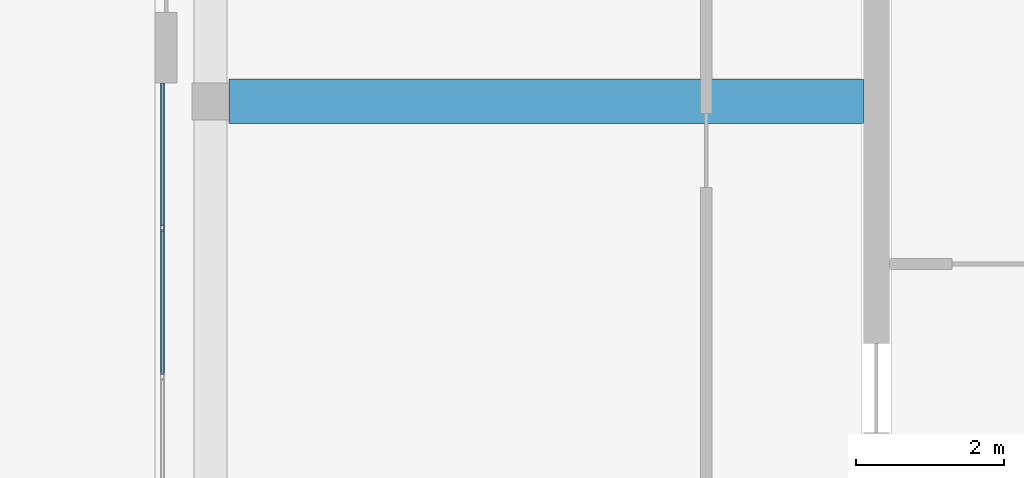
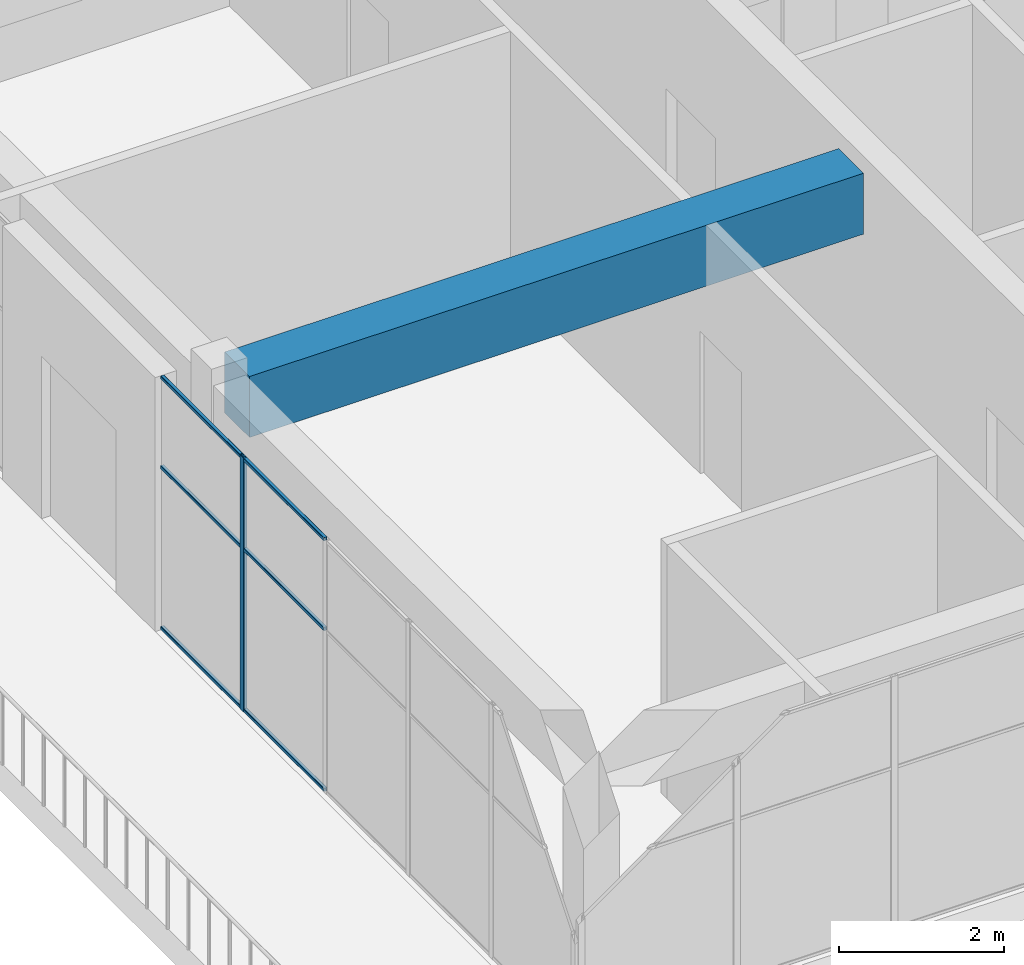
# One storey, part 10 of 34: 7 members, 1 beam, 1 element without a shape of its own.
"""IFC4 building model written with IfcOpenShell, lengths in metres."""

from ifc_helpers import new_model, si_unit, direction, frame, origin, origin_2d, place, context, subcontext, project, spatial, rectangle, hollow_rectangle, extrude, material, layer, layer_set, material_profile, profile_set, type_object, element, aggregate, save


model = new_model("IFC4")

# Units and contexts
model_context = context("Model", 3, precision=1e-05, world=origin(), true_north=direction((0.0, 1.0)))
body_context = subcontext(model_context, "Body", "Model", "MODEL_VIEW")
ifc_project = project(units=[si_unit("LENGTHUNIT", "METRE"), si_unit("AREAUNIT", "SQUARE_METRE"), si_unit("VOLUMEUNIT", "CUBIC_METRE"), si_unit("PLANEANGLEUNIT", "RADIAN"), si_unit("MASSUNIT", "GRAM", prefix="KILO")], contexts=[model_context])

# Site, building, storey
site_placement = place(None, origin())
site = spatial("IfcSite", under=ifc_project, at=site_placement, CompositionType="ELEMENT")
building_placement = place(site_placement, origin())
building = spatial("IfcBuilding", under=site, at=building_placement, Name="Tuart Plaza Theatre", CompositionType="ELEMENT")
storey_placement = place(building_placement, frame((0.0, 0.0, 53.5)))
storey = spatial("IfcBuildingStorey", under=building, at=storey_placement, Name="L13", CompositionType="ELEMENT", Elevation=53.5)

# Beam
ifc_material_1 = material(Name="Concrete N40 (40 MPa)", Category="concrete")
ifc_material_profile_1 = material_profile(ifc_material_1, rectangle(XDim=0.60009765625, YDim=0.89990234375, at=origin_2d()), Name="BEAM 600x900 Concrete N40 (40 MPa)")
ifc_profile_set_1 = profile_set([ifc_material_profile_1], Name="Concrete N40 (40 MPa)")
beam_type = type_object("IfcBeamType", Name="BEAM 600x900 Concrete N40 (40 MPa)", PredefinedType="BEAM", material=ifc_profile_set_1)
beam_placement = place(storey_placement, frame((114.25, 74.0, 3.300048828125), z_axis=(1.0, 0.0, 0.0), x_axis=(0.0, 1.0, 0.0)))
element("IfcBeam", 1, at=beam_placement, inside=storey, type_object=beam_type, Name="RB321", PredefinedType="BEAM", context=body_context, shape_type="SweptSolid", body=[
    extrude(rectangle(XDim=0.60009765625, YDim=0.89990234375, at=origin_2d()), origin(), (0.0, 0.0, 1.0), 8.574951171875),
])

# Curtain wall, members
ifc_material_2 = material(Name="Aluminium and glass", Category="aluminium")
ifc_layer = layer(ifc_material_2, 0.10009765625)
ifc_layer_set = layer_set([ifc_layer], Name="CURTAIN WALL 2000 module")
curtain_wall_type = type_object("IfcCurtainWallType", Name="CURTAIN WALL 2000 module", PredefinedType="NOTDEFINED", material=ifc_layer_set)
curtain_wall_placement = place(storey_placement, origin())
curtain_wall = element("IfcCurtainWall", 2, at=curtain_wall_placement, inside=storey, type_object=curtain_wall_type, Name="CW119", PredefinedType="NOTDEFINED")
ifc_material_3 = material(Name="Aluminium 6063-T5", Category="aluminium")
ifc_material_profile_2 = material_profile(ifc_material_3, hollow_rectangle(XDim=0.050048828125, YDim=0.10009765625, WallThickness=0.00390625, InnerFilletRadius=0.00390625, OuterFilletRadius=0.008056640625, at=origin_2d()), Name="RHS 100x50x4")
ifc_profile_set_2 = profile_set([ifc_material_profile_2], Name="Aluminium 6063-T5")
member_type_1 = type_object("IfcMemberType", Name="MULLION RHS 100x50x4", PredefinedType="MULLION", material=ifc_profile_set_2)
member_1_placement = place(storey_placement, frame((113.35009765625, 72.2900390625, 0.0), z_axis=(0.0, 0.0, 1.0), x_axis=(1.0, 0.0, 0.0)))
member_1 = element("IfcMember", 3, at=member_1_placement, type_object=member_type_1, Name="CW119 mullion 2", PredefinedType="MULLION", context=body_context, shape_type="SweptSolid", body=[
    extrude(hollow_rectangle(XDim=0.050048828125, YDim=0.10009765625, WallThickness=0.00390625, InnerFilletRadius=0.00390625, OuterFilletRadius=0.008056640625, at=origin_2d()), origin(), (0.0, 0.0, 1.0), 3.75),
])
ifc_material_4 = material(Name="Aluminium 6063-T5", Category="aluminium")
ifc_material_profile_3 = material_profile(ifc_material_4, hollow_rectangle(XDim=0.050048828125, YDim=0.050048828125, WallThickness=0.00390625, InnerFilletRadius=0.00390625, OuterFilletRadius=0.008056640625, at=origin_2d()), Name="RHS 50x50x4")
ifc_profile_set_3 = profile_set([ifc_material_profile_3], Name="Aluminium 6063-T5")
member_type_2 = type_object("IfcMemberType", Name="TRANSOM RHS 50x50x4", PredefinedType="USERDEFINED", material=ifc_profile_set_3)
member_2_placement = place(storey_placement, frame((113.35009765625, 74.25, 0.02490234375), z_axis=(0.0, -1.0, 0.0), x_axis=(1.0, 0.0, 0.0)))
member_2 = element("IfcMember", 4, at=member_2_placement, type_object=member_type_2, Name="CW119 transom 1.1", ObjectType="TRANSOM", PredefinedType="USERDEFINED", context=body_context, shape_type="SweptSolid", body=[
    extrude(hollow_rectangle(XDim=0.050048828125, YDim=0.050048828125, WallThickness=0.00390625, InnerFilletRadius=0.00390625, OuterFilletRadius=0.008056640625, at=origin_2d()), origin(), (0.0, 0.0, 1.0), 1.93505859375),
])
member_3_placement = place(storey_placement, frame((113.35009765625, 74.25, 2.39990234375), z_axis=(0.0, -1.0, 0.0), x_axis=(1.0, 0.0, 0.0)))
member_3 = element("IfcMember", 5, at=member_3_placement, type_object=member_type_2, Name="CW119 transom 1.2", ObjectType="TRANSOM", PredefinedType="USERDEFINED", context=body_context, shape_type="SweptSolid", body=[
    extrude(hollow_rectangle(XDim=0.050048828125, YDim=0.050048828125, WallThickness=0.00390625, InnerFilletRadius=0.00390625, OuterFilletRadius=0.008056640625, at=origin_2d()), origin(), (0.0, 0.0, 1.0), 1.93505859375),
])
member_4_placement = place(storey_placement, frame((113.35009765625, 74.25, 3.72509765625), z_axis=(0.0, -1.0, 0.0), x_axis=(1.0, 0.0, 0.0)))
member_4 = element("IfcMember", 6, at=member_4_placement, type_object=member_type_2, Name="CW119 transom 1.3", ObjectType="TRANSOM", PredefinedType="USERDEFINED", context=body_context, shape_type="SweptSolid", body=[
    extrude(hollow_rectangle(XDim=0.050048828125, YDim=0.050048828125, WallThickness=0.00390625, InnerFilletRadius=0.00390625, OuterFilletRadius=0.008056640625, at=origin_2d()), origin(), (0.0, 0.0, 1.0), 1.93505859375),
])
member_5_placement = place(storey_placement, frame((113.35009765625, 72.264892578125, 0.02490234375), z_axis=(0.0, -1.0, 0.0), x_axis=(1.0, 0.0, 0.0)))
member_5 = element("IfcMember", 7, at=member_5_placement, type_object=member_type_2, Name="CW119 transom 2.1", ObjectType="TRANSOM", PredefinedType="USERDEFINED", context=body_context, shape_type="SweptSolid", body=[
    extrude(hollow_rectangle(XDim=0.050048828125, YDim=0.050048828125, WallThickness=0.00390625, InnerFilletRadius=0.00390625, OuterFilletRadius=0.008056640625, at=origin_2d()), origin(), (0.0, 0.0, 1.0), 1.9599609375),
])
member_6_placement = place(storey_placement, frame((113.35009765625, 72.264892578125, 2.39990234375), z_axis=(0.0, -1.0, 0.0), x_axis=(1.0, 0.0, 0.0)))
member_6 = element("IfcMember", 8, at=member_6_placement, type_object=member_type_2, Name="CW119 transom 2.2", ObjectType="TRANSOM", PredefinedType="USERDEFINED", context=body_context, shape_type="SweptSolid", body=[
    extrude(hollow_rectangle(XDim=0.050048828125, YDim=0.050048828125, WallThickness=0.00390625, InnerFilletRadius=0.00390625, OuterFilletRadius=0.008056640625, at=origin_2d()), origin(), (0.0, 0.0, 1.0), 1.9599609375),
])
member_7_placement = place(storey_placement, frame((113.35009765625, 72.264892578125, 3.72509765625), z_axis=(0.0, -1.0, 0.0), x_axis=(1.0, 0.0, 0.0)))
member_7 = element("IfcMember", 9, at=member_7_placement, type_object=member_type_2, Name="CW119 transom 2.3", ObjectType="TRANSOM", PredefinedType="USERDEFINED", context=body_context, shape_type="SweptSolid", body=[
    extrude(hollow_rectangle(XDim=0.050048828125, YDim=0.050048828125, WallThickness=0.00390625, InnerFilletRadius=0.00390625, OuterFilletRadius=0.008056640625, at=origin_2d()), origin(), (0.0, 0.0, 1.0), 1.9599609375),
])
aggregate(curtain_wall, [member_1, member_2, member_3, member_4, member_5, member_6, member_7])

save(model, "model.ifc")
